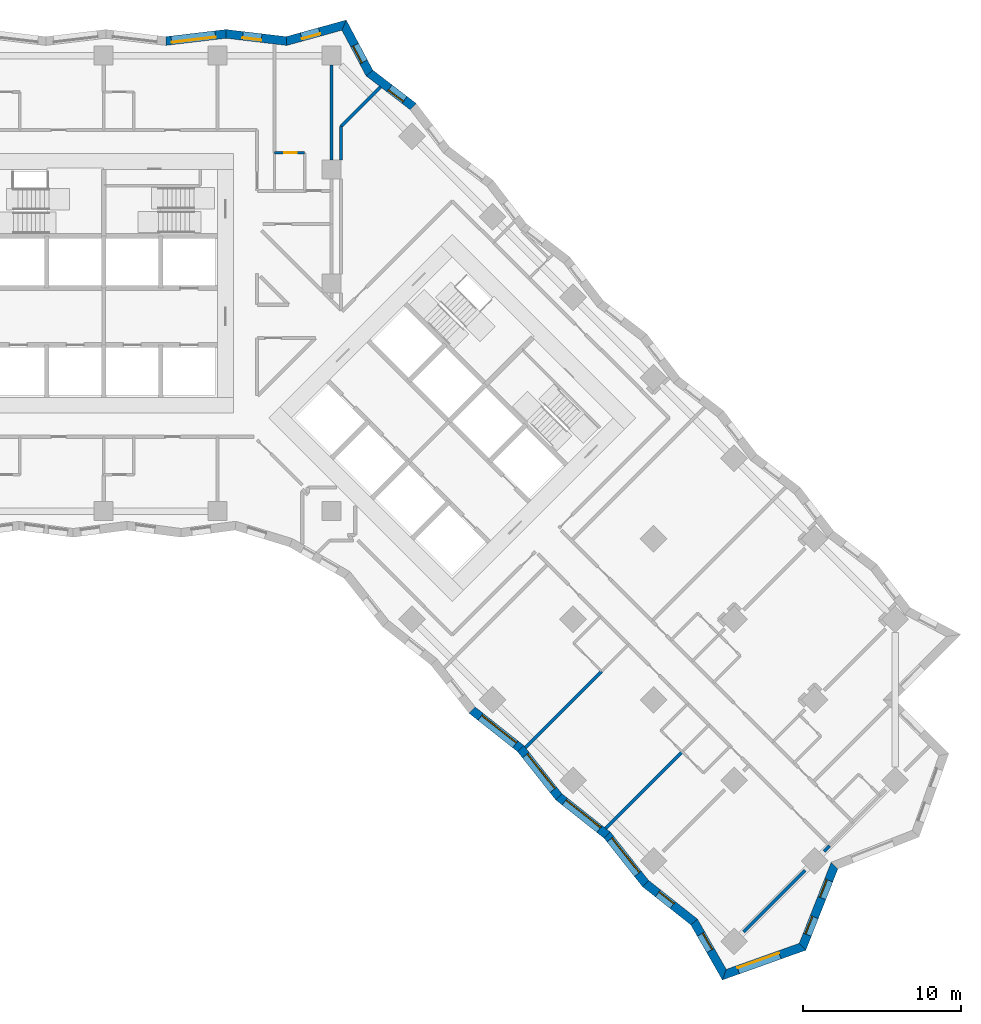
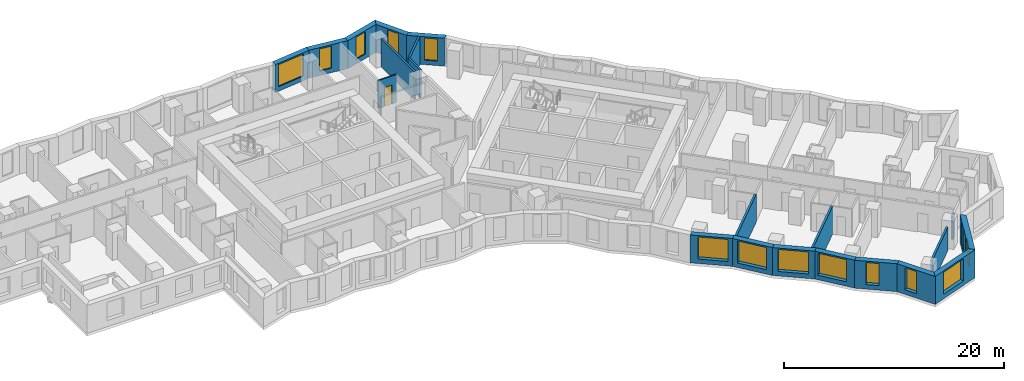
# One storey, part 7 of 14: 21 walls, 14 windows, 1 door, 15 openings.
"""IFC4 building model written with IfcOpenShell, lengths in metres."""

from ifc_helpers import new_model, si_unit, direction, frame, frame_2d, origin, place, context, subcontext, project, spatial, polyline, rectangle, outline, extrude, material, layer, layer_set, type_object, element, fill, save


model = new_model("IFC4")

# Units and contexts
model_context = context("Model", 3, precision=1e-05, world=origin(), true_north=direction((0.0, 1.0)))
body_context = subcontext(model_context, "Body", "Model", "MODEL_VIEW")
ifc_project = project(units=[si_unit("LENGTHUNIT", "METRE"), si_unit("AREAUNIT", "SQUARE_METRE"), si_unit("VOLUMEUNIT", "CUBIC_METRE"), si_unit("PLANEANGLEUNIT", "RADIAN"), si_unit("MASSUNIT", "GRAM", prefix="KILO")], contexts=[model_context])

# Site, building, storey
site_placement = place(None, origin())
site = spatial("IfcSite", under=ifc_project, at=site_placement, CompositionType="ELEMENT")
building_placement = place(site_placement, origin())
building = spatial("IfcBuilding", under=site, at=building_placement, Name="Windrow Commons", CompositionType="ELEMENT")
storey_placement = place(building_placement, frame((0.0, 0.0, 44.0)))
storey = spatial("IfcBuildingStorey", under=building, at=storey_placement, Name="L11", CompositionType="ELEMENT", Elevation=44.0)

# Wall, opening, window
ifc_material_1 = material(Name="Brick masonry, red clay brick", Category="masonry")
ifc_layer_1 = layer(ifc_material_1, 0.55)
ifc_layer_set_1 = layer_set([ifc_layer_1], Name="Brick facade wall 550")
wall_type_1 = type_object("IfcWallType", Name="Brick facade wall 550", PredefinedType="SOLIDWALL", material=ifc_layer_set_1)
wall_1_placement = place(storey_placement, frame((104.0368, 13.8932, 0.0), z_axis=(0.0, 0.0, 1.0), x_axis=(0.9418436094, 0.3360515071, 0.0)))
wall_1 = element("IfcWall", 1, at=wall_1_placement, inside=storey, type_object=wall_type_1, Name="Brick facade wall L11 1", PredefinedType="SOLIDWALL", context=body_context, shape_type="SweptSolid", body=[
    extrude(outline(polyline([(-0.23, -0.275), (5.3728, -0.275), (5.123, 0.275), (0.23, 0.275), (-0.23, -0.275)])), origin(), (0.0, 0.0, 1.0), 3.1),
])
opening_1_placement = place(wall_1_placement, frame((0.9189, 0.0, 0.5)))
opening_1 = element("IfcOpeningElement", 2, at=opening_1_placement, cuts=wall_1, Name="Opening W1T", PredefinedType="OPENING", context=body_context, shape_type="SweptSolid", body=[
    extrude(rectangle(XDim=2.8, YDim=2.45, at=frame_2d((1.4, 1.225))), frame((0.0, 0.285, 0.0), z_axis=(0.0, -1.0, 0.0), x_axis=(1.0, 0.0, 0.0)), (0.0, 0.0, 1.0), 0.57),
])
ifc_material_2 = material(Name="Clear float glass in anodised aluminium frame", Category="aluminium")
window_type_1 = type_object("IfcWindowType", Name="Window W1T bedroom 2800x2450", PartitioningType="SINGLE_PANEL", PredefinedType="WINDOW", material=ifc_material_2)
window_1_placement = place(opening_1_placement, origin())
window_1 = element("IfcWindow", 3, at=window_1_placement, inside=storey, type_object=window_type_1, Name="Window L11 1.1", OverallHeight=2.45, OverallWidth=2.8, PartitioningType="SINGLE_PANEL", PredefinedType="WINDOW", context=body_context, shape_type="SweptSolid", body=[
    extrude(rectangle(XDim=2.8, YDim=2.45, at=frame_2d((1.4, 1.225))), frame((0.0, 0.155, 0.0), z_axis=(0.0, -1.0, 0.0), x_axis=(1.0, 0.0, 0.0)), (0.0, 0.0, 1.0), 0.06),
])
fill(opening_1, window_1)

# Wall, openings, windows
wall_2_placement = place(storey_placement, frame((108.9796, 15.6568, 0.0), z_axis=(0.0, 0.0, 1.0), x_axis=(0.3667119279, 0.930334543, 0.0)))
wall_2 = element("IfcWall", 4, at=wall_2_placement, inside=storey, type_object=wall_type_1, Name="Brick facade wall L11 2", PredefinedType="SOLIDWALL", context=body_context, shape_type="SweptSolid", body=[
    extrude(outline(polyline([(-0.1249, -0.275), (5.3952, -0.275), (5.6342, 0.275), (0.1249, 0.275), (-0.1249, -0.275)])), origin(), (0.0, 0.0, 1.0), 3.1),
])
opening_2_placement = place(wall_2_placement, frame((0.8218, 0.0, 0.5)))
opening_2 = element("IfcOpeningElement", 5, at=opening_2_placement, cuts=wall_2, Name="Opening W7D", PredefinedType="OPENING", context=body_context, shape_type="SweptSolid", body=[
    extrude(rectangle(XDim=1.2, YDim=2.45, at=frame_2d((0.6, 1.225))), frame((0.0, 0.285, 0.0), z_axis=(0.0, -1.0, 0.0), x_axis=(1.0, 0.0, 0.0)), (0.0, 0.0, 1.0), 0.57),
])
opening_3_placement = place(wall_2_placement, frame((3.3167, 0.0, 0.5)))
opening_3 = element("IfcOpeningElement", 6, at=opening_3_placement, cuts=wall_2, Name="Opening W7D", PredefinedType="OPENING", context=body_context, shape_type="SweptSolid", body=[
    extrude(rectangle(XDim=1.2, YDim=2.45, at=frame_2d((0.6, 1.225))), frame((0.0, 0.285, 0.0), z_axis=(0.0, -1.0, 0.0), x_axis=(1.0, 0.0, 0.0)), (0.0, 0.0, 1.0), 0.57),
])
ifc_material_3 = material(Name="Clear float glass in anodised aluminium frame", Category="aluminium")
window_type_2 = type_object("IfcWindowType", Name="Window W7 notch 1200x2450", PartitioningType="SINGLE_PANEL", PredefinedType="WINDOW", material=ifc_material_3)
window_2_placement = place(opening_2_placement, origin())
window_2 = element("IfcWindow", 7, at=window_2_placement, inside=storey, type_object=window_type_2, Name="Window L11 2.1", OverallHeight=2.45, OverallWidth=1.2, PartitioningType="SINGLE_PANEL", PredefinedType="WINDOW", context=body_context, shape_type="SweptSolid", body=[
    extrude(rectangle(XDim=1.2, YDim=2.45, at=frame_2d((0.6, 1.225))), frame((0.0, 0.155, 0.0), z_axis=(0.0, -1.0, 0.0), x_axis=(1.0, 0.0, 0.0)), (0.0, 0.0, 1.0), 0.06),
])
fill(opening_2, window_2)
window_3_placement = place(opening_3_placement, origin())
window_3 = element("IfcWindow", 8, at=window_3_placement, inside=storey, type_object=window_type_2, Name="Window L11 2.2", OverallHeight=2.45, OverallWidth=1.2, PartitioningType="SINGLE_PANEL", PredefinedType="WINDOW", context=body_context, shape_type="SweptSolid", body=[
    extrude(rectangle(XDim=1.2, YDim=2.45, at=frame_2d((0.6, 1.225))), frame((0.0, 0.155, 0.0), z_axis=(0.0, -1.0, 0.0), x_axis=(1.0, 0.0, 0.0)), (0.0, 0.0, 1.0), 0.06),
])
fill(opening_3, window_3)

# Wall, opening, window
wall_3_placement = place(storey_placement, frame((84.3674, 68.7752, 0.0), z_axis=(0.0, 0.0, 1.0), x_axis=(-0.7931717386, 0.6089980239, 0.0)))
wall_3 = element("IfcWall", 9, at=wall_3_placement, inside=storey, type_object=wall_type_1, Name="Brick facade wall L11 21", PredefinedType="SOLIDWALL", context=body_context, shape_type="SweptSolid", body=[
    extrude(outline(polyline([(-0.0361, -0.275), (3.4266, -0.275), (3.5461, 0.275), (0.0361, 0.275), (-0.0361, -0.275)])), origin(), (0.0, 0.0, 1.0), 3.1),
])
opening_4_placement = place(wall_3_placement, frame((0.6952, 0.0, 0.5)))
opening_4 = element("IfcOpeningElement", 10, at=opening_4_placement, cuts=wall_3, Name="Opening W7D", PredefinedType="OPENING", context=body_context, shape_type="SweptSolid", body=[
    extrude(rectangle(XDim=1.2, YDim=2.45, at=frame_2d((0.6, 1.225))), frame((0.0, 0.285, 0.0), z_axis=(0.0, -1.0, 0.0), x_axis=(1.0, 0.0, 0.0)), (0.0, 0.0, 1.0), 0.57),
])
window_4_placement = place(opening_4_placement, origin())
window_4 = element("IfcWindow", 11, at=window_4_placement, inside=storey, type_object=window_type_2, Name="Window L11 21.1", OverallHeight=2.45, OverallWidth=1.2, PartitioningType="SINGLE_PANEL", PredefinedType="WINDOW", context=body_context, shape_type="SweptSolid", body=[
    extrude(rectangle(XDim=1.2, YDim=2.45, at=frame_2d((0.6, 1.225))), frame((0.0, 0.155, 0.0), z_axis=(0.0, -1.0, 0.0), x_axis=(1.0, 0.0, 0.0)), (0.0, 0.0, 1.0), 0.06),
])
fill(opening_4, window_4)

wall_4_placement = place(storey_placement, frame((81.6021, 70.8984, 0.0), z_axis=(0.0, 0.0, 1.0), x_axis=(-0.4691559366, 0.8831153419, 0.0)))
wall_4 = element("IfcWall", 12, at=wall_4_placement, inside=storey, type_object=wall_type_1, Name="Brick facade wall L11 22", PredefinedType="SOLIDWALL", context=body_context, shape_type="SweptSolid", body=[
    extrude(outline(polyline([(0.0597, -0.275), (3.6503, -0.275), (3.209, 0.275), (-0.0597, 0.275), (0.0597, -0.275)])), origin(), (0.0, 0.0, 1.0), 3.1),
])
opening_5_placement = place(wall_4_placement, frame((0.7955, 0.0, 0.5)))
opening_5 = element("IfcOpeningElement", 13, at=opening_5_placement, cuts=wall_4, Name="Opening W7D", PredefinedType="OPENING", context=body_context, shape_type="SweptSolid", body=[
    extrude(rectangle(XDim=1.2, YDim=2.45, at=frame_2d((0.6, 1.225))), frame((0.0, 0.285, 0.0), z_axis=(0.0, -1.0, 0.0), x_axis=(1.0, 0.0, 0.0)), (0.0, 0.0, 1.0), 0.57),
])
window_5_placement = place(opening_5_placement, origin())
window_5 = element("IfcWindow", 14, at=window_5_placement, inside=storey, type_object=window_type_2, Name="Window L11 22.1", OverallHeight=2.45, OverallWidth=1.2, PartitioningType="SINGLE_PANEL", PredefinedType="WINDOW", context=body_context, shape_type="SweptSolid", body=[
    extrude(rectangle(XDim=1.2, YDim=2.45, at=frame_2d((0.6, 1.225))), frame((0.0, 0.155, 0.0), z_axis=(0.0, -1.0, 0.0), x_axis=(1.0, 0.0, 0.0)), (0.0, 0.0, 1.0), 0.06),
])
fill(opening_5, window_5)

wall_5_placement = place(storey_placement, frame((79.9931, 73.9271, 0.0), z_axis=(0.0, 0.0, 1.0), x_axis=(-0.9637951892, -0.2666436448, 0.0)))
wall_5 = element("IfcWall", 15, at=wall_5_placement, inside=storey, type_object=wall_type_1, Name="Brick facade wall L11 23", PredefinedType="SOLIDWALL", context=body_context, shape_type="SweptSolid", body=[
    extrude(outline(polyline([(-0.2207, -0.275), (3.721, -0.275), (3.8291, 0.275), (0.2207, 0.275), (-0.2207, -0.275)])), origin(), (0.0, 0.0, 1.0), 3.1),
])
opening_6_placement = place(wall_5_placement, frame((1.599, 0.0, 0.5)))
opening_6 = element("IfcOpeningElement", 16, at=opening_6_placement, cuts=wall_5, Name="Opening W7D", PredefinedType="OPENING", context=body_context, shape_type="SweptSolid", body=[
    extrude(rectangle(XDim=1.2, YDim=2.45, at=frame_2d((0.6, 1.225))), frame((0.0, 0.285, 0.0), z_axis=(0.0, -1.0, 0.0), x_axis=(1.0, 0.0, 0.0)), (0.0, 0.0, 1.0), 0.57),
])
window_6_placement = place(opening_6_placement, origin())
window_6 = element("IfcWindow", 17, at=window_6_placement, inside=storey, type_object=window_type_2, Name="Window L11 23.1", OverallHeight=2.45, OverallWidth=1.2, PartitioningType="SINGLE_PANEL", PredefinedType="WINDOW", context=body_context, shape_type="SweptSolid", body=[
    extrude(rectangle(XDim=1.2, YDim=2.45, at=frame_2d((0.6, 1.225))), frame((0.0, 0.155, 0.0), z_axis=(0.0, -1.0, 0.0), x_axis=(1.0, 0.0, 0.0)), (0.0, 0.0, 1.0), 0.06),
])
fill(opening_6, window_6)

wall_6_placement = place(storey_placement, frame((76.3547, 72.9205, 0.0), z_axis=(0.0, 0.0, 1.0), x_axis=(-0.9930244072, 0.1179089763, 0.0)))
wall_6 = element("IfcWall", 18, at=wall_6_placement, inside=storey, type_object=wall_type_1, Name="Brick facade wall L11 24", PredefinedType="SOLIDWALL", context=body_context, shape_type="SweptSolid", body=[
    extrude(outline(polyline([(0.054, -0.275), (3.8797, -0.275), (3.8144, 0.275), (-0.054, 0.275), (0.054, -0.275)])), origin(), (0.0, 0.0, 1.0), 3.1),
])
opening_7_placement = place(wall_6_placement, frame((1.5872, 0.0, 0.5)))
opening_7 = element("IfcOpeningElement", 19, at=opening_7_placement, cuts=wall_6, Name="Opening W7D", PredefinedType="OPENING", context=body_context, shape_type="SweptSolid", body=[
    extrude(rectangle(XDim=1.2, YDim=2.45, at=frame_2d((0.6, 1.225))), frame((0.0, 0.285, 0.0), z_axis=(0.0, -1.0, 0.0), x_axis=(1.0, 0.0, 0.0)), (0.0, 0.0, 1.0), 0.57),
])
window_7_placement = place(opening_7_placement, origin())
window_7 = element("IfcWindow", 20, at=window_7_placement, inside=storey, type_object=window_type_2, Name="Window L11 24.1", OverallHeight=2.45, OverallWidth=1.2, PartitioningType="SINGLE_PANEL", PredefinedType="WINDOW", context=body_context, shape_type="SweptSolid", body=[
    extrude(rectangle(XDim=1.2, YDim=2.45, at=frame_2d((0.6, 1.225))), frame((0.0, 0.155, 0.0), z_axis=(0.0, -1.0, 0.0), x_axis=(1.0, 0.0, 0.0)), (0.0, 0.0, 1.0), 0.06),
])
fill(opening_7, window_7)

wall_7_placement = place(storey_placement, frame((72.5345, 73.3741, 0.0), z_axis=(0.0, 0.0, 1.0), x_axis=(-0.9930269402, -0.1178876415, 0.0)))
wall_7 = element("IfcWall", 21, at=wall_7_placement, inside=storey, type_object=wall_type_1, Name="Brick facade wall L11 25", PredefinedType="SOLIDWALL", context=body_context, shape_type="SweptSolid", body=[
    extrude(outline(polyline([(-0.0326, -0.275), (3.793, -0.275), (3.8583, 0.275), (0.0326, 0.275), (-0.0326, -0.275)])), origin(), (0.0, 0.0, 1.0), 3.1),
])
opening_8_placement = place(wall_7_placement, frame((0.682, 0.0, 0.5)))
opening_8 = element("IfcOpeningElement", 22, at=opening_8_placement, cuts=wall_7, Name="Opening W1T", PredefinedType="OPENING", context=body_context, shape_type="SweptSolid", body=[
    extrude(rectangle(XDim=2.8, YDim=2.45, at=frame_2d((1.4, 1.225))), frame((0.0, 0.285, 0.0), z_axis=(0.0, -1.0, 0.0), x_axis=(1.0, 0.0, 0.0)), (0.0, 0.0, 1.0), 0.57),
])
window_8_placement = place(opening_8_placement, origin())
window_8 = element("IfcWindow", 23, at=window_8_placement, inside=storey, type_object=window_type_1, Name="Window L11 25.1", OverallHeight=2.45, OverallWidth=2.8, PartitioningType="SINGLE_PANEL", PredefinedType="WINDOW", context=body_context, shape_type="SweptSolid", body=[
    extrude(rectangle(XDim=2.8, YDim=2.45, at=frame_2d((1.4, 1.225))), frame((0.0, 0.155, 0.0), z_axis=(0.0, -1.0, 0.0), x_axis=(1.0, 0.0, 0.0)), (0.0, 0.0, 1.0), 0.06),
])
fill(opening_8, window_8)

wall_8_placement = place(storey_placement, frame((88.0974, 30.6122, 0.0), z_axis=(0.0, 0.0, 1.0), x_axis=(0.7841326465, -0.6205932587, 0.0)))
wall_8 = element("IfcWall", 24, at=wall_8_placement, inside=storey, type_object=wall_type_1, Name="Brick facade wall L11 58", PredefinedType="SOLIDWALL", context=body_context, shape_type="SweptSolid", body=[
    extrude(outline(polyline([(-0.032, -0.275), (3.868, -0.275), (3.932, 0.275), (0.032, 0.275), (-0.032, -0.275)])), origin(), (0.0, 0.0, 1.0), 3.1),
])
opening_9_placement = place(wall_8_placement, frame((0.673, 0.0, 0.5)))
opening_9 = element("IfcOpeningElement", 25, at=opening_9_placement, cuts=wall_8, Name="Opening W1T", PredefinedType="OPENING", context=body_context, shape_type="SweptSolid", body=[
    extrude(rectangle(XDim=2.8, YDim=2.45, at=frame_2d((1.4, 1.225))), frame((0.0, 0.285, 0.0), z_axis=(0.0, -1.0, 0.0), x_axis=(1.0, 0.0, 0.0)), (0.0, 0.0, 1.0), 0.57),
])
window_9_placement = place(opening_9_placement, origin())
window_9 = element("IfcWindow", 26, at=window_9_placement, inside=storey, type_object=window_type_1, Name="Window L11 58.1", OverallHeight=2.45, OverallWidth=2.8, PartitioningType="SINGLE_PANEL", PredefinedType="WINDOW", context=body_context, shape_type="SweptSolid", body=[
    extrude(rectangle(XDim=2.8, YDim=2.45, at=frame_2d((1.4, 1.225))), frame((0.0, 0.155, 0.0), z_axis=(0.0, -1.0, 0.0), x_axis=(1.0, 0.0, 0.0)), (0.0, 0.0, 1.0), 0.06),
])
fill(opening_9, window_9)

wall_9_placement = place(storey_placement, frame((91.1555, 28.1919, 0.0), z_axis=(0.0, 0.0, 1.0), x_axis=(0.6205932587, -0.7841326465, 0.0)))
wall_9 = element("IfcWall", 27, at=wall_9_placement, inside=storey, type_object=wall_type_1, Name="Brick facade wall L11 59", PredefinedType="SOLIDWALL", context=body_context, shape_type="SweptSolid", body=[
    extrude(outline(polyline([(0.032, -0.275), (3.932, -0.275), (3.868, 0.275), (-0.032, 0.275), (0.032, -0.275)])), origin(), (0.0, 0.0, 1.0), 3.1),
])
opening_10_placement = place(wall_9_placement, frame((0.534, 0.0, 0.5)))
opening_10 = element("IfcOpeningElement", 28, at=opening_10_placement, cuts=wall_9, Name="Opening W1T", PredefinedType="OPENING", context=body_context, shape_type="SweptSolid", body=[
    extrude(rectangle(XDim=2.8, YDim=2.45, at=frame_2d((1.4, 1.225))), frame((0.0, 0.285, 0.0), z_axis=(0.0, -1.0, 0.0), x_axis=(1.0, 0.0, 0.0)), (0.0, 0.0, 1.0), 0.57),
])
window_10_placement = place(opening_10_placement, origin())
window_10 = element("IfcWindow", 29, at=window_10_placement, inside=storey, type_object=window_type_1, Name="Window L11 59.1", OverallHeight=2.45, OverallWidth=2.8, PartitioningType="SINGLE_PANEL", PredefinedType="WINDOW", context=body_context, shape_type="SweptSolid", body=[
    extrude(rectangle(XDim=2.8, YDim=2.45, at=frame_2d((1.4, 1.225))), frame((0.0, 0.155, 0.0), z_axis=(0.0, -1.0, 0.0), x_axis=(1.0, 0.0, 0.0)), (0.0, 0.0, 1.0), 0.06),
])
fill(opening_10, window_10)

wall_10_placement = place(storey_placement, frame((93.5758, 25.1338, 0.0), z_axis=(0.0, 0.0, 1.0), x_axis=(0.7841326465, -0.6205932587, 0.0)))
wall_10 = element("IfcWall", 30, at=wall_10_placement, inside=storey, type_object=wall_type_1, Name="Brick facade wall L11 60", PredefinedType="SOLIDWALL", context=body_context, shape_type="SweptSolid", body=[
    extrude(outline(polyline([(-0.032, -0.275), (3.868, -0.275), (3.932, 0.275), (0.032, 0.275), (-0.032, -0.275)])), origin(), (0.0, 0.0, 1.0), 3.1),
])
opening_11_placement = place(wall_10_placement, frame((0.4755, 0.0, 0.5)))
opening_11 = element("IfcOpeningElement", 31, at=opening_11_placement, cuts=wall_10, Name="Opening W1T", PredefinedType="OPENING", context=body_context, shape_type="SweptSolid", body=[
    extrude(rectangle(XDim=2.8, YDim=2.45, at=frame_2d((1.4, 1.225))), frame((0.0, 0.285, 0.0), z_axis=(0.0, -1.0, 0.0), x_axis=(1.0, 0.0, 0.0)), (0.0, 0.0, 1.0), 0.57),
])
window_11_placement = place(opening_11_placement, origin())
window_11 = element("IfcWindow", 32, at=window_11_placement, inside=storey, type_object=window_type_1, Name="Window L11 60.1", OverallHeight=2.45, OverallWidth=2.8, PartitioningType="SINGLE_PANEL", PredefinedType="WINDOW", context=body_context, shape_type="SweptSolid", body=[
    extrude(rectangle(XDim=2.8, YDim=2.45, at=frame_2d((1.4, 1.225))), frame((0.0, 0.155, 0.0), z_axis=(0.0, -1.0, 0.0), x_axis=(1.0, 0.0, 0.0)), (0.0, 0.0, 1.0), 0.06),
])
fill(opening_11, window_11)

wall_11_placement = place(storey_placement, frame((96.6339, 22.7135, 0.0), z_axis=(0.0, 0.0, 1.0), x_axis=(0.6205932587, -0.7841326465, 0.0)))
wall_11 = element("IfcWall", 33, at=wall_11_placement, inside=storey, type_object=wall_type_1, Name="Brick facade wall L11 61", PredefinedType="SOLIDWALL", context=body_context, shape_type="SweptSolid", body=[
    extrude(outline(polyline([(0.032, -0.275), (3.932, -0.275), (3.868, 0.275), (-0.032, 0.275), (0.032, -0.275)])), origin(), (0.0, 0.0, 1.0), 3.1),
])
opening_12_placement = place(wall_11_placement, frame((0.3216, 0.0, 0.5)))
opening_12 = element("IfcOpeningElement", 34, at=opening_12_placement, cuts=wall_11, Name="Opening W1T", PredefinedType="OPENING", context=body_context, shape_type="SweptSolid", body=[
    extrude(rectangle(XDim=2.8, YDim=2.45, at=frame_2d((1.4, 1.225))), frame((0.0, 0.285, 0.0), z_axis=(0.0, -1.0, 0.0), x_axis=(1.0, 0.0, 0.0)), (0.0, 0.0, 1.0), 0.57),
])
window_12_placement = place(opening_12_placement, origin())
window_12 = element("IfcWindow", 35, at=window_12_placement, inside=storey, type_object=window_type_1, Name="Window L11 61.1", OverallHeight=2.45, OverallWidth=2.8, PartitioningType="SINGLE_PANEL", PredefinedType="WINDOW", context=body_context, shape_type="SweptSolid", body=[
    extrude(rectangle(XDim=2.8, YDim=2.45, at=frame_2d((1.4, 1.225))), frame((0.0, 0.155, 0.0), z_axis=(0.0, -1.0, 0.0), x_axis=(1.0, 0.0, 0.0)), (0.0, 0.0, 1.0), 0.06),
])
fill(opening_12, window_12)

wall_12_placement = place(storey_placement, frame((99.0542, 19.6554, 0.0), z_axis=(0.0, 0.0, 1.0), x_axis=(0.7841399373, -0.6205840465, 0.0)))
wall_12 = element("IfcWall", 36, at=wall_12_placement, inside=storey, type_object=wall_type_1, Name="Brick facade wall L11 62", PredefinedType="SOLIDWALL", context=body_context, shape_type="SweptSolid", body=[
    extrude(outline(polyline([(-0.032, -0.275), (3.868, -0.275), (3.974, 0.275), (0.032, 0.275), (-0.032, -0.275)])), origin(), (0.0, 0.0, 1.0), 3.1),
])
opening_13_placement = place(wall_12_placement, frame((0.9998, 0.0, 0.5)))
opening_13 = element("IfcOpeningElement", 37, at=opening_13_placement, cuts=wall_12, Name="Opening W7D", PredefinedType="OPENING", context=body_context, shape_type="SweptSolid", body=[
    extrude(rectangle(XDim=1.2, YDim=2.45, at=frame_2d((0.6, 1.225))), frame((0.0, 0.285, 0.0), z_axis=(0.0, -1.0, 0.0), x_axis=(1.0, 0.0, 0.0)), (0.0, 0.0, 1.0), 0.57),
])
window_13_placement = place(opening_13_placement, origin())
window_13 = element("IfcWindow", 38, at=window_13_placement, inside=storey, type_object=window_type_2, Name="Window L11 62.1", OverallHeight=2.45, OverallWidth=1.2, PartitioningType="SINGLE_PANEL", PredefinedType="WINDOW", context=body_context, shape_type="SweptSolid", body=[
    extrude(rectangle(XDim=1.2, YDim=2.45, at=frame_2d((0.6, 1.225))), frame((0.0, 0.155, 0.0), z_axis=(0.0, -1.0, 0.0), x_axis=(1.0, 0.0, 0.0)), (0.0, 0.0, 1.0), 0.06),
])
fill(opening_13, window_13)

wall_13_placement = place(storey_placement, frame((102.1288, 17.2221, 0.0), z_axis=(0.0, 0.0, 1.0), x_axis=(0.4972724343, -0.8675944479, 0.0)))
wall_13 = element("IfcWall", 39, at=wall_13_placement, inside=storey, type_object=wall_type_1, Name="Brick facade wall L11 63", PredefinedType="SOLIDWALL", context=body_context, shape_type="SweptSolid", body=[
    extrude(outline(polyline([(0.053, -0.275), (4.0669, -0.275), (3.6069, 0.275), (-0.053, 0.275), (0.053, -0.275)])), origin(), (0.0, 0.0, 1.0), 3.1),
])
opening_14_placement = place(wall_13_placement, frame((0.8745, 0.0, 0.5)))
opening_14 = element("IfcOpeningElement", 40, at=opening_14_placement, cuts=wall_13, Name="Opening W7D", PredefinedType="OPENING", context=body_context, shape_type="SweptSolid", body=[
    extrude(rectangle(XDim=1.2, YDim=2.45, at=frame_2d((0.6, 1.225))), frame((0.0, 0.285, 0.0), z_axis=(0.0, -1.0, 0.0), x_axis=(1.0, 0.0, 0.0)), (0.0, 0.0, 1.0), 0.57),
])
window_14_placement = place(opening_14_placement, origin())
window_14 = element("IfcWindow", 41, at=window_14_placement, inside=storey, type_object=window_type_2, Name="Window L11 63.1", OverallHeight=2.45, OverallWidth=1.2, PartitioningType="SINGLE_PANEL", PredefinedType="WINDOW", context=body_context, shape_type="SweptSolid", body=[
    extrude(rectangle(XDim=1.2, YDim=2.45, at=frame_2d((0.6, 1.225))), frame((0.0, 0.155, 0.0), z_axis=(0.0, -1.0, 0.0), x_axis=(1.0, 0.0, 0.0)), (0.0, 0.0, 1.0), 0.06),
])
fill(opening_14, window_14)

# Wall, opening, door
ifc_material_4 = material(Name="Blockwork partition", Category="masonry")
ifc_layer_2 = layer(ifc_material_4, 0.15)
ifc_layer_set_2 = layer_set([ifc_layer_2], Name="IW-ENSUITE-150")
wall_type_2 = type_object("IfcWallType", Name="IW-ENSUITE-150", PredefinedType="PARTITIONING", material=ifc_layer_set_2)
wall_14_placement = place(storey_placement, frame((75.6, 65.85, 0.0), z_axis=(0.0, 0.0, 1.0), x_axis=(1.0, 0.0, 0.0)))
wall_14 = element("IfcWall", 42, at=wall_14_placement, inside=storey, type_object=wall_type_2, Name="W-L11-W126", PredefinedType="PARTITIONING", context=body_context, shape_type="SweptSolid", body=[
    extrude(rectangle(XDim=1.9, YDim=0.15, at=frame_2d((0.95, 0.0))), origin(), (0.0, 0.0, 1.0), 3.1),
])
opening_15_placement = place(wall_14_placement, frame((0.6069, 0.0, 0.0)))
opening_15 = element("IfcOpeningElement", 43, at=opening_15_placement, cuts=wall_14, Name="Opening D208N", PredefinedType="OPENING", context=body_context, shape_type="SweptSolid", body=[
    extrude(rectangle(XDim=0.8, YDim=2.1, at=frame_2d((0.4, 1.05))), frame((0.0, 0.085, 0.0), z_axis=(0.0, -1.0, 0.0), x_axis=(1.0, 0.0, 0.0)), (0.0, 0.0, 1.0), 0.17),
])
ifc_material_5 = material(Name="Timber door leaf", Category="wood")
door_type = type_object("IfcDoorType", Name="DT-ENSUITE-800", OperationType="SINGLE_SWING_LEFT", PredefinedType="DOOR", material=ifc_material_5)
door_placement = place(opening_15_placement, origin())
door = element("IfcDoor", 44, at=door_placement, inside=storey, type_object=door_type, Name="D-L11-D022", OperationType="SINGLE_SWING_RIGHT", OverallHeight=2.1, OverallWidth=0.8, PredefinedType="DOOR", context=body_context, shape_type="SweptSolid", body=[
    extrude(rectangle(XDim=0.8, YDim=2.1, at=frame_2d((0.4, 1.05))), frame((0.0, 0.025, 0.0), z_axis=(0.0, -1.0, 0.0), x_axis=(1.0, 0.0, 0.0)), (0.0, 0.0, 1.0), 0.05),
])
fill(opening_15, door)

# Walls
ifc_material_6 = material(Name="Blockwork partition", Category="masonry")
ifc_layer_3 = layer(ifc_material_6, 0.2)
ifc_layer_set_3 = layer_set([ifc_layer_3], Name="IW-PARTY-200")
wall_type_3 = type_object("IfcWallType", Name="IW-PARTY-200", PredefinedType="PARTITIONING", material=ifc_layer_set_3)
wall_15_placement = place(storey_placement, frame((96.53, 23.1465, 0.0), z_axis=(0.0, 0.0, 1.0), x_axis=(0.7071140909, 0.7070994714, 0.0)))
element("IfcWall", 45, at=wall_15_placement, inside=storey, type_object=wall_type_3, Name="W-L11-W020", PredefinedType="PARTITIONING", context=body_context, shape_type="SweptSolid", body=[
    extrude(rectangle(XDim=6.8402, YDim=0.2, at=frame_2d((3.4201, 0.0))), origin(), (0.0, 0.0, 1.0), 3.1),
])
wall_16_placement = place(storey_placement, frame((91.4563, 28.2551, 0.0), z_axis=(0.0, 0.0, 1.0), x_axis=(0.7071067812, 0.7071067812, 0.0)))
element("IfcWall", 46, at=wall_16_placement, inside=storey, type_object=wall_type_3, Name="W-L11-W021", PredefinedType="PARTITIONING", context=body_context, shape_type="SweptSolid", body=[
    extrude(rectangle(XDim=6.8155, YDim=0.2, at=frame_2d((3.4078, 0.0))), origin(), (0.0, 0.0, 1.0), 3.1),
])
wall_17_placement = place(storey_placement, frame((79.2, 65.4, 0.0), z_axis=(0.0, 0.0, 1.0), x_axis=(0.0, 1.0, 0.0)))
element("IfcWall", 47, at=wall_17_placement, inside=storey, type_object=wall_type_3, Name="W-L11-W030", PredefinedType="PARTITIONING", context=body_context, shape_type="SweptSolid", body=[
    extrude(rectangle(XDim=6.0, YDim=0.2, at=frame_2d((3.0, 0.0))), origin(), (0.0, 0.0, 1.0), 3.1),
])
wall_18_placement = place(storey_placement, frame((105.257, 16.597, 0.0), z_axis=(0.0, 0.0, 1.0), x_axis=(0.7072884866, 0.706925029, 0.0)))
element("IfcWall", 48, at=wall_18_placement, inside=storey, type_object=wall_type_3, Name="W-L11-W036", PredefinedType="PARTITIONING", context=body_context, shape_type="SweptSolid", body=[
    extrude(rectangle(XDim=5.5027, YDim=0.2, at=frame_2d((2.7513, 0.0))), origin(), (0.0, 0.0, 1.0), 2.6),
])
wall_19_placement = place(storey_placement, frame((79.7988, 67.5092, 0.0), z_axis=(0.0, 0.0, 1.0), x_axis=(0.7070926629, 0.7071208992, 0.0)))
element("IfcWall", 49, at=wall_19_placement, inside=storey, type_object=wall_type_3, Name="W-L11-W058", PredefinedType="PARTITIONING", context=body_context, shape_type="SweptSolid", body=[
    extrude(rectangle(XDim=3.5415, YDim=0.2, at=frame_2d((1.7708, 0.0))), origin(), (0.0, 0.0, 1.0), 3.1),
])
wall_20_placement = place(storey_placement, frame((79.8, 65.4, 0.0), z_axis=(0.0, 0.0, 1.0), x_axis=(0.0, 1.0, 0.0)))
element("IfcWall", 50, at=wall_20_placement, inside=storey, type_object=wall_type_3, Name="W-L11-W114", PredefinedType="PARTITIONING", context=body_context, shape_type="SweptSolid", body=[
    extrude(rectangle(XDim=2.108, YDim=0.2, at=frame_2d((1.054, 0.0))), origin(), (0.0, 0.0, 1.0), 3.1),
])
wall_21_placement = place(storey_placement, frame((110.3465, 21.6895, 0.0), z_axis=(0.0, 0.0, 1.0), x_axis=(0.7071067812, 0.7071067812, 0.0)))
element("IfcWall", 51, at=wall_21_placement, inside=storey, type_object=wall_type_3, Name="W-L11-W185", PredefinedType="PARTITIONING", context=body_context, shape_type="SweptSolid", body=[
    extrude(rectangle(XDim=0.5006, YDim=0.2, at=frame_2d((0.2503, 0.0))), origin(), (0.0, 0.0, 1.0), 2.6),
])

save(model, "model.ifc")
